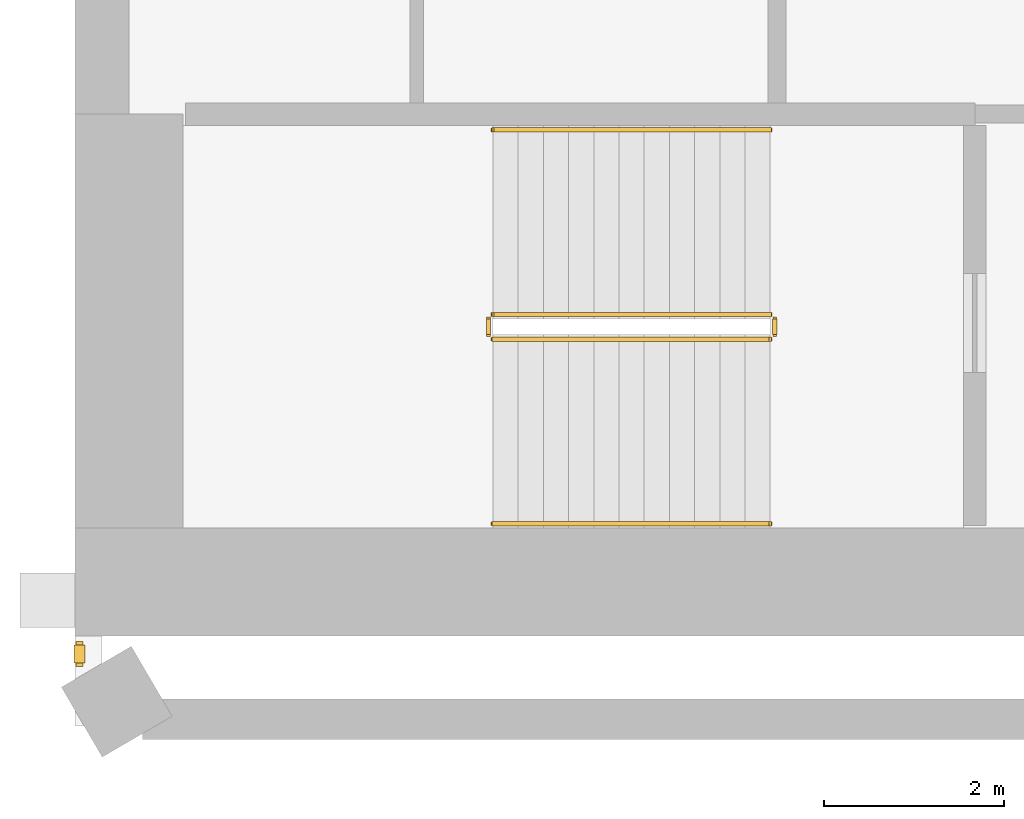
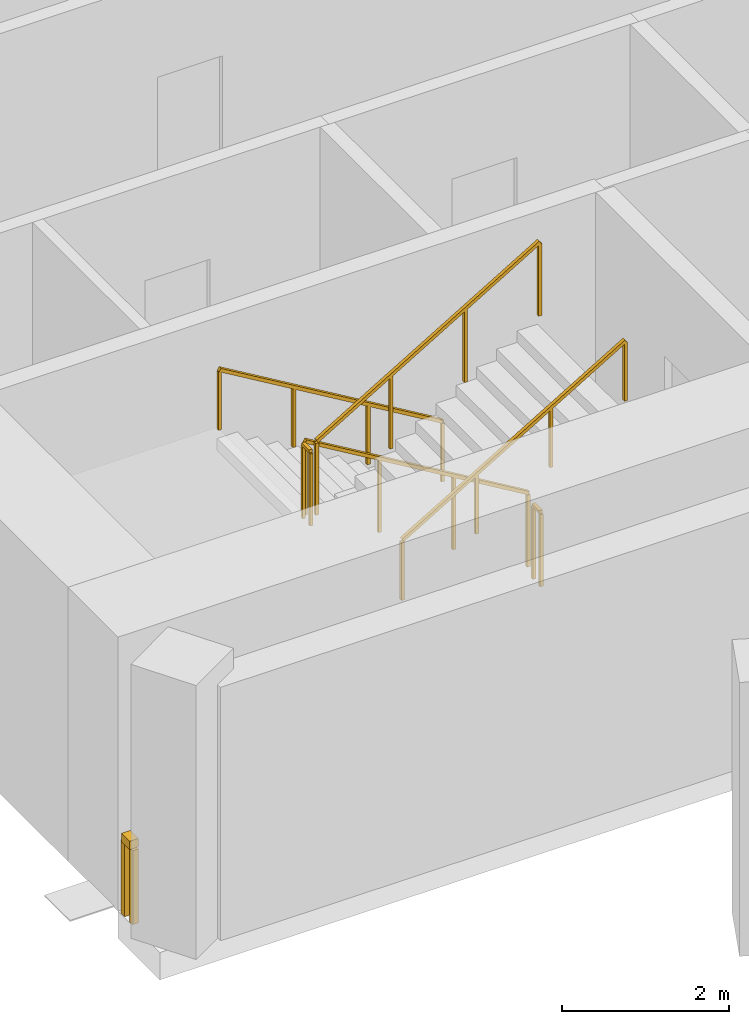
# One storey, part 5 of 8: 7 railings.
"""IFC4 building model written with IfcOpenShell, lengths in metres."""

from ifc_helpers import new_model, si_unit, direction, frame, origin, origin_2d, place, context, subcontext, project, spatial, rectangle, extrude, material, type_object, element, save


model = new_model("IFC4")

# Units and contexts
model_context = context("Model", 3, precision=1e-05, world=origin(), true_north=direction((0.0, 1.0)))
body_context = subcontext(model_context, "Body", "Model", "MODEL_VIEW")
ifc_project = project(units=[si_unit("LENGTHUNIT", "METRE"), si_unit("AREAUNIT", "SQUARE_METRE"), si_unit("VOLUMEUNIT", "CUBIC_METRE"), si_unit("PLANEANGLEUNIT", "RADIAN"), si_unit("MASSUNIT", "GRAM", prefix="KILO")], contexts=[model_context])

# Site, building, storey
site_placement = place(None, origin())
site = spatial("IfcSite", under=ifc_project, at=site_placement, CompositionType="ELEMENT")
building_placement = place(site_placement, origin())
building = spatial("IfcBuilding", under=site, at=building_placement, Name="Cypress Arch Tower", CompositionType="ELEMENT")
storey_placement = place(building_placement, frame((0.0, 0.0, 339.0)))
storey = spatial("IfcBuildingStorey", under=building, at=storey_placement, Name="L77", CompositionType="ELEMENT", Elevation=339.0)

# Railings
ifc_material_1 = material(Name="Stainless steel posts and handrail, laminated glass infill", Category="steel")
railing_type_1 = type_object("IfcRailingType", Name="Deck guard GR1200D", PredefinedType="GUARDRAIL", material=ifc_material_1)
railing_1_placement = place(storey_placement, frame((-29.949951171875, -16.295654296875, 0.0)))
element("IfcRailing", 1, at=railing_1_placement, inside=storey, type_object=railing_type_1, Name="Crown edge guard L77 1", PredefinedType="GUARDRAIL", context=body_context, shape_type="SweptSolid", body=[
    extrude(rectangle(XDim=0.1201171875, YDim=0.1201171875, at=origin_2d()), frame((0.0, 0.0, 1.139892578125), z_axis=(0.0, 1.0, 0.0), x_axis=(-1.0, 0.0, 0.0)), (0.0, 0.0, 1.0), 0.195556640625),
    extrude(rectangle(XDim=0.080078125, YDim=0.080078125, at=origin_2d()), origin(), (0.0, 0.0, 1.0), 1.079833984375),
    extrude(rectangle(XDim=0.080078125, YDim=0.080078125, at=origin_2d()), frame((0.0, 0.195556640625, 0.0)), (0.0, 0.0, 1.0), 1.079833984375),
])
ifc_material_2 = material(Name="Black powder-coated steel square bar 48 mm", Category="steel")
railing_type_2 = type_object("IfcRailingType", Name="Stair handrail HR1", PredefinedType="HANDRAIL", material=ifc_material_2)
railing_2_placement = place(storey_placement, frame((-22.27490234375, -10.375, 0.166748046875)))
element("IfcRailing", 2, at=railing_2_placement, inside=storey, type_object=railing_type_2, Name="L77 A stair handrail 1", PredefinedType="HANDRAIL", context=body_context, shape_type="SweptSolid", body=[
    extrude(rectangle(XDim=0.048095703125, YDim=0.048095703125, at=origin_2d()), frame((0.0, 0.0, 0.8759765625), z_axis=(-0.859308565015, 0.0, 0.511457515432), x_axis=(0.0, -1.0, 0.0)), (0.0, 0.0, 1.0), 3.58447265625),
    extrude(rectangle(XDim=0.0419921875, YDim=0.0419921875, at=origin_2d()), origin(), (0.0, 0.0, 1.0), 0.851806640625),
    extrude(rectangle(XDim=0.0419921875, YDim=0.0419921875, at=origin_2d()), frame((-1.026611328125, 0.0, 0.611083984375)), (0.0, 0.0, 1.0), 0.851806640625),
    extrude(rectangle(XDim=0.0419921875, YDim=0.0419921875, at=origin_2d()), frame((-2.053466796875, 0.0, 1.22216796875)), (0.0, 0.0, 1.0), 0.851806640625),
    extrude(rectangle(XDim=0.0419921875, YDim=0.0419921875, at=origin_2d()), frame((-3.080078125, 0.0, 1.833251953125)), (0.0, 0.0, 1.0), 0.851806640625),
])
railing_3_placement = place(storey_placement, frame((-25.35498046875, -14.75, 2.166748046875)))
element("IfcRailing", 3, at=railing_3_placement, inside=storey, type_object=railing_type_2, Name="L77 A stair handrail 2", PredefinedType="HANDRAIL", context=body_context, shape_type="SweptSolid", body=[
    extrude(rectangle(XDim=0.048095703125, YDim=0.048095703125, at=origin_2d()), frame((0.0, 0.0, 0.8759765625), z_axis=(0.859308565015, 0.0, 0.511457515432), x_axis=(0.0, 1.0, 0.0)), (0.0, 0.0, 1.0), 3.58447265625),
    extrude(rectangle(XDim=0.0419921875, YDim=0.0419921875, at=origin_2d()), origin(), (0.0, 0.0, 1.0), 0.851806640625),
    extrude(rectangle(XDim=0.0419921875, YDim=0.0419921875, at=origin_2d()), frame((1.026611328125, 0.0, 0.611083984375)), (0.0, 0.0, 1.0), 0.851806640625),
    extrude(rectangle(XDim=0.0419921875, YDim=0.0419921875, at=origin_2d()), frame((2.053466796875, 0.0, 1.22216796875)), (0.0, 0.0, 1.0), 0.851806640625),
    extrude(rectangle(XDim=0.0419921875, YDim=0.0419921875, at=origin_2d()), frame((3.080078125, 0.0, 1.833251953125)), (0.0, 0.0, 1.0), 0.851806640625),
])
ifc_material_3 = material(Name="Black powder-coated steel balusters", Category="steel")
railing_type_3 = type_object("IfcRailingType", Name="Stair well guard G1", PredefinedType="GUARDRAIL", material=ifc_material_3)
railing_4_placement = place(storey_placement, frame((-22.27490234375, -12.425048828125, 0.166748046875)))
element("IfcRailing", 4, at=railing_4_placement, inside=storey, type_object=railing_type_3, Name="L77 A stair guard 1", PredefinedType="GUARDRAIL", context=body_context, shape_type="SweptSolid", body=[
    extrude(rectangle(XDim=0.048095703125, YDim=0.048095703125, at=origin_2d()), frame((0.0, 0.0, 1.076171875), z_axis=(-0.859308565015, 0.0, 0.511457515432), x_axis=(0.0, -1.0, 0.0)), (0.0, 0.0, 1.0), 3.58447265625),
    extrude(rectangle(XDim=0.0419921875, YDim=0.0419921875, at=origin_2d()), origin(), (0.0, 0.0, 1.0), 1.052001953125),
    extrude(rectangle(XDim=0.0419921875, YDim=0.0419921875, at=origin_2d()), frame((-1.026611328125, 0.0, 0.611083984375)), (0.0, 0.0, 1.0), 1.052001953125),
    extrude(rectangle(XDim=0.0419921875, YDim=0.0419921875, at=origin_2d()), frame((-2.053466796875, 0.0, 1.22216796875)), (0.0, 0.0, 1.0), 1.052001953125),
    extrude(rectangle(XDim=0.0419921875, YDim=0.0419921875, at=origin_2d()), frame((-3.080078125, 0.0, 1.833251953125)), (0.0, 0.0, 1.0), 1.052001953125),
])
railing_5_placement = place(storey_placement, frame((-25.405029296875, -12.47509765625, 2.0)))
element("IfcRailing", 5, at=railing_5_placement, inside=storey, type_object=railing_type_3, Name="L77 A stair guard 2", PredefinedType="GUARDRAIL", context=body_context, shape_type="SweptSolid", body=[
    extrude(rectangle(XDim=0.048095703125, YDim=0.048095703125, at=origin_2d()), frame((0.0, 0.0, 1.076171875), z_axis=(0.0, -1.0, 0.0), x_axis=(1.0, 0.0, 0.0)), (0.0, 0.0, 1.0), 0.1748046875),
    extrude(rectangle(XDim=0.0419921875, YDim=0.0419921875, at=origin_2d()), origin(), (0.0, 0.0, 1.0), 1.052001953125),
    extrude(rectangle(XDim=0.0419921875, YDim=0.0419921875, at=origin_2d()), frame((0.0, -0.1748046875, 0.0)), (0.0, 0.0, 1.0), 1.052001953125),
])
railing_6_placement = place(storey_placement, frame((-25.35498046875, -12.699951171875, 2.166748046875)))
element("IfcRailing", 6, at=railing_6_placement, inside=storey, type_object=railing_type_3, Name="L77 A stair guard 3", PredefinedType="GUARDRAIL", context=body_context, shape_type="SweptSolid", body=[
    extrude(rectangle(XDim=0.048095703125, YDim=0.048095703125, at=origin_2d()), frame((0.0, 0.0, 1.076171875), z_axis=(0.859308565015, 0.0, 0.511457515432), x_axis=(0.0, 1.0, 0.0)), (0.0, 0.0, 1.0), 3.58447265625),
    extrude(rectangle(XDim=0.0419921875, YDim=0.0419921875, at=origin_2d()), origin(), (0.0, 0.0, 1.0), 1.052001953125),
    extrude(rectangle(XDim=0.0419921875, YDim=0.0419921875, at=origin_2d()), frame((1.026611328125, 0.0, 0.611083984375)), (0.0, 0.0, 1.0), 1.052001953125),
    extrude(rectangle(XDim=0.0419921875, YDim=0.0419921875, at=origin_2d()), frame((2.053466796875, 0.0, 1.22216796875)), (0.0, 0.0, 1.0), 1.052001953125),
    extrude(rectangle(XDim=0.0419921875, YDim=0.0419921875, at=origin_2d()), frame((3.080078125, 0.0, 1.833251953125)), (0.0, 0.0, 1.0), 1.052001953125),
])
railing_7_placement = place(storey_placement, frame((-22.22509765625, -12.47509765625, 0.0)))
element("IfcRailing", 7, at=railing_7_placement, inside=storey, type_object=railing_type_3, Name="L77 A stair guard 4", PredefinedType="GUARDRAIL", context=body_context, shape_type="SweptSolid", body=[
    extrude(rectangle(XDim=0.048095703125, YDim=0.048095703125, at=origin_2d()), frame((0.0, 0.0, 1.076171875), z_axis=(0.0, -1.0, 0.0), x_axis=(1.0, 0.0, 0.0)), (0.0, 0.0, 1.0), 0.1748046875),
    extrude(rectangle(XDim=0.0419921875, YDim=0.0419921875, at=origin_2d()), origin(), (0.0, 0.0, 1.0), 1.052001953125),
    extrude(rectangle(XDim=0.0419921875, YDim=0.0419921875, at=origin_2d()), frame((0.0, -0.1748046875, 0.0)), (0.0, 0.0, 1.0), 1.052001953125),
])

save(model, "model.ifc")
